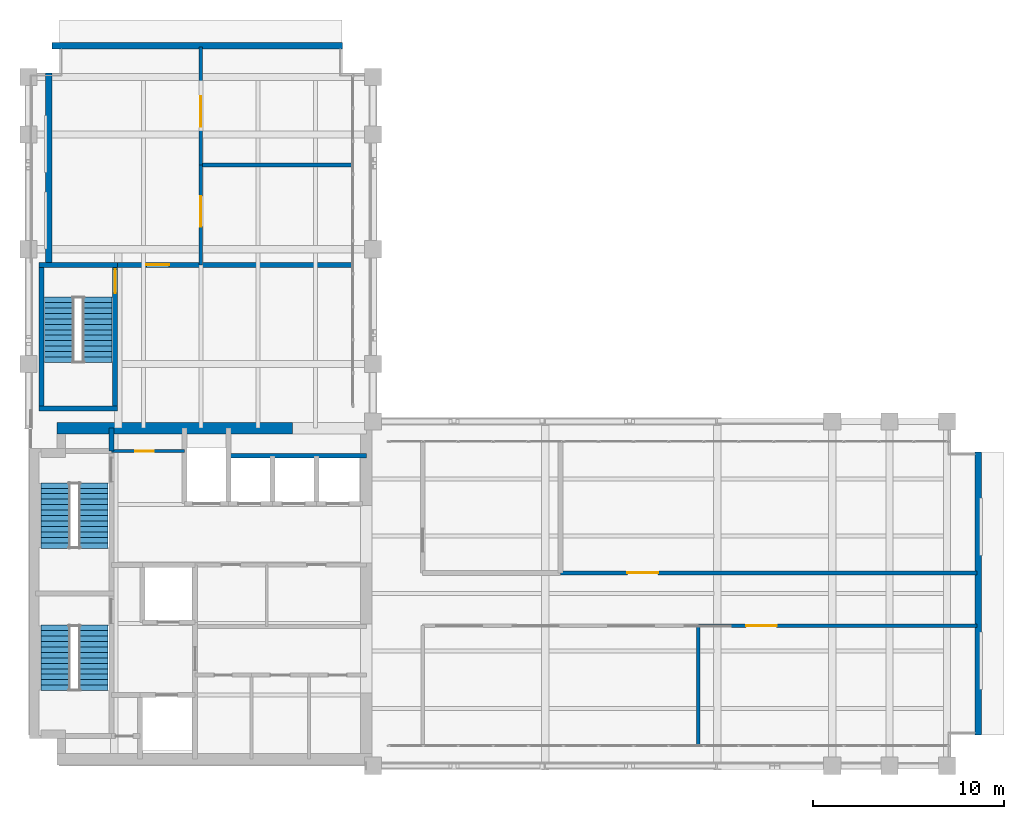
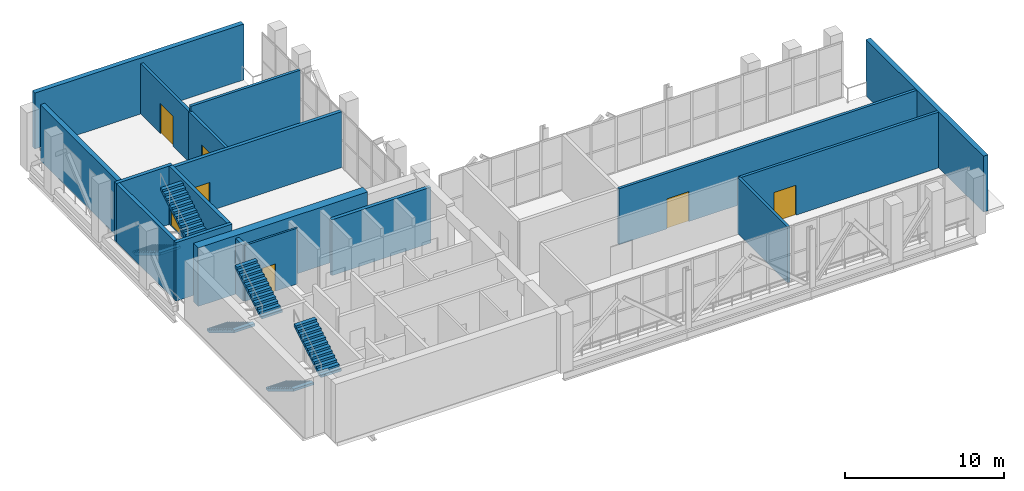
# One storey, part 24 of 26: 18 walls, 7 doors, 6 stair flights, 7 openings, 3 elements without a shape of their own.
"""IFC4 building model written with IfcOpenShell, lengths in metres."""

from ifc_helpers import new_model, si_unit, direction, frame, frame_2d, origin, place, context, subcontext, project, spatial, polyline, rectangle, outline, extrude, material, layer, layer_set, type_object, element, fill, aggregate, save


model = new_model("IFC4")

# Units and contexts
model_context = context("Model", 3, precision=1e-05, world=origin(), true_north=direction((0.0, 1.0)))
body_context = subcontext(model_context, "Body", "Model", "MODEL_VIEW")
ifc_project = project(units=[si_unit("LENGTHUNIT", "METRE"), si_unit("AREAUNIT", "SQUARE_METRE"), si_unit("VOLUMEUNIT", "CUBIC_METRE"), si_unit("PLANEANGLEUNIT", "RADIAN"), si_unit("MASSUNIT", "GRAM", prefix="KILO")], contexts=[model_context])

# Site, building, storey
site_placement = place(None, origin())
site = spatial("IfcSite", under=ifc_project, at=site_placement, CompositionType="ELEMENT")
building_placement = place(site_placement, origin())
building = spatial("IfcBuilding", under=site, at=building_placement, Name="Mawjdan Bourse Tower", CompositionType="ELEMENT")
storey_placement = place(building_placement, frame((0.0, 0.0, 226.800048828125)))
storey = spatial("IfcBuildingStorey", under=building, at=storey_placement, Name="L55", CompositionType="ELEMENT", Elevation=226.800048828125)

# Walls
ifc_material_1 = material(Name="Brick Masonry Terracotta Red", Category="masonry")
ifc_layer_1 = layer(ifc_material_1, 0.340087890625)
ifc_layer_set_1 = layer_set([ifc_layer_1], Name="Brick Masonry Terracotta Red")
wall_type_1 = type_object("IfcWallType", Name="WL-BRK-RED-340", PredefinedType="STANDARD", material=ifc_layer_set_1)
wall_1_placement = place(storey_placement, frame((55.6298828125, 4.60009765625, 0.0), z_axis=(0.0, 0.0, 1.0), x_axis=(0.0, 1.0, 0.0)))
element("IfcWall", 1, at=wall_1_placement, inside=storey, type_object=wall_type_1, Name="L55 Refuge Perimeter Wall ETIP", PredefinedType="STANDARD", context=body_context, shape_type="SweptSolid", body=[
    extrude(rectangle(XDim=14.7998046875, YDim=0.340087890625, at=frame_2d((7.39990234375, 0.0))), origin(), (0.0, 0.0, 1.0), 4.300048828125),
])
wall_2_placement = place(storey_placement, frame((7.050048828125, 39.199951171875, 0.0), z_axis=(0.0, 0.0, 1.0), x_axis=(0.0, -1.0, 0.0)))
element("IfcWall", 2, at=wall_2_placement, inside=storey, type_object=wall_type_1, Name="L55 Refuge Perimeter Wall NWW", PredefinedType="STANDARD", context=body_context, shape_type="SweptSolid", body=[
    extrude(rectangle(XDim=9.89990234375, YDim=0.340087890625, at=frame_2d((4.949951171875, 0.0))), origin(), (0.0, 0.0, 1.0), 4.300048828125),
])
wall_3_placement = place(storey_placement, frame((22.39990234375, 40.6298828125, 0.0), z_axis=(0.0, 0.0, 1.0), x_axis=(-1.0, 0.0, 0.0)))
element("IfcWall", 3, at=wall_3_placement, inside=storey, type_object=wall_type_1, Name="L55 Refuge Perimeter Wall NTIP", PredefinedType="STANDARD", context=body_context, shape_type="SweptSolid", body=[
    extrude(rectangle(XDim=15.179931640625, YDim=0.340087890625, at=frame_2d((7.58984375, 0.0))), origin(), (0.0, 0.0, 1.0), 4.300048828125),
])
ifc_material_2 = material(Name="Gypsum Fireboard Assembly")
ifc_layer_2 = layer(ifc_material_2, 0.199951171875)
ifc_layer_set_2 = layer_set([ifc_layer_2], Name="Gypsum Fireboard Assembly")
wall_type_2 = type_object("IfcWallType", Name="WL-CMP-200", PredefinedType="PARTITIONING", material=ifc_layer_set_2)
wall_4_placement = place(storey_placement, frame((15.0, 34.39990234375, 0.0), z_axis=(0.0, 0.0, 1.0), x_axis=(1.0, 0.0, 0.0)))
element("IfcWall", 4, at=wall_4_placement, inside=storey, type_object=wall_type_2, Name="L55 North Plant Split Wall", PredefinedType="PARTITIONING", context=body_context, shape_type="SweptSolid", body=[
    extrude(rectangle(XDim=7.949951171875, YDim=0.199951171875, at=frame_2d((3.97509765625, 0.0))), origin(), (0.0, 0.0, 1.0), 4.2900390625),
])

# Wall, opening, door
wall_5_placement = place(storey_placement, frame((15.0, 29.179931640625, 0.0), z_axis=(0.0, 0.0, 1.0), x_axis=(0.0, 1.0, 0.0)))
wall_5 = element("IfcWall", 5, at=wall_5_placement, inside=storey, type_object=wall_type_2, Name="L55 North Plant Wall 1", PredefinedType="PARTITIONING", context=body_context, shape_type="SweptSolid", body=[
    extrude(rectangle(XDim=5.219970703125, YDim=0.199951171875, at=frame_2d((2.60986328125, 0.0))), origin(), (0.0, 0.0, 1.0), 3.885986328125),
])
opening_1_placement = place(wall_5_placement, frame((2.0, 0.0, 0.0)))
opening_1 = element("IfcOpeningElement", 6, at=opening_1_placement, cuts=wall_5, Name="Opening PD-L55-21", PredefinedType="OPENING", context=body_context, shape_type="SweptSolid", body=[
    extrude(rectangle(XDim=1.60009765625, YDim=2.300048828125, at=frame_2d((0.800048828125, 1.14990234375))), frame((0.0, 0.10986328125, 0.0), z_axis=(0.0, -1.0, 0.0), x_axis=(1.0, 0.0, 0.0)), (0.0, 0.0, 1.0), 0.219970703125),
])
ifc_material_3 = material(Name="Fire-Rated Acoustic Steel", Category="steel")
door_type_1 = type_object("IfcDoorType", Name="FD-PLT-1600", OperationType="DOUBLE_DOOR_SINGLE_SWING", PredefinedType="DOOR", material=ifc_material_3)
door_1_placement = place(opening_1_placement, origin())
door_1 = element("IfcDoor", 7, at=door_1_placement, inside=storey, type_object=door_type_1, Name="L55 Fire Pump Room Door PD-L55-21", OperationType="DOUBLE_DOOR_SINGLE_SWING", OverallHeight=2.300048828125, OverallWidth=1.60009765625, PredefinedType="DOOR", context=body_context, shape_type="SweptSolid", body=[
    extrude(rectangle(XDim=1.60009765625, YDim=2.300048828125, at=frame_2d((0.800048828125, 1.14990234375))), frame((0.0, 0.02490234375, 0.0), z_axis=(0.0, -1.0, 0.0), x_axis=(1.0, 0.0, 0.0)), (0.0, 0.0, 1.0), 0.050048828125),
])
fill(opening_1, door_1)

wall_6_placement = place(storey_placement, frame((15.0, 34.39990234375, 0.0), z_axis=(0.0, 0.0, 1.0), x_axis=(0.0, 1.0, 0.0)))
wall_6 = element("IfcWall", 8, at=wall_6_placement, inside=storey, type_object=wall_type_2, Name="L55 North Plant Wall 2", PredefinedType="PARTITIONING", context=body_context, shape_type="SweptSolid", body=[
    extrude(rectangle(XDim=6.18017578125, YDim=0.199951171875, at=frame_2d((3.090087890625, 0.0))), origin(), (0.0, 0.0, 1.0), 3.885986328125),
])
opening_2_placement = place(wall_6_placement, frame((2.0, 0.0, 0.0)))
opening_2 = element("IfcOpeningElement", 9, at=opening_2_placement, cuts=wall_6, Name="Opening PD-L55-22", PredefinedType="OPENING", context=body_context, shape_type="SweptSolid", body=[
    extrude(rectangle(XDim=1.60009765625, YDim=2.300048828125, at=frame_2d((0.800048828125, 1.14990234375))), frame((0.0, 0.10986328125, 0.0), z_axis=(0.0, -1.0, 0.0), x_axis=(1.0, 0.0, 0.0)), (0.0, 0.0, 1.0), 0.219970703125),
])
door_2_placement = place(opening_2_placement, origin())
door_2 = element("IfcDoor", 10, at=door_2_placement, inside=storey, type_object=door_type_1, Name="L55 Smoke Fan Room Door PD-L55-22", OperationType="DOUBLE_DOOR_SINGLE_SWING", OverallHeight=2.300048828125, OverallWidth=1.60009765625, PredefinedType="DOOR", context=body_context, shape_type="SweptSolid", body=[
    extrude(rectangle(XDim=1.60009765625, YDim=2.300048828125, at=frame_2d((0.800048828125, 1.14990234375))), frame((0.0, 0.02490234375, 0.0), z_axis=(0.0, -1.0, 0.0), x_axis=(1.0, 0.0, 0.0)), (0.0, 0.0, 1.0), 0.050048828125),
])
fill(opening_2, door_2)

# Wall
wall_7_placement = place(storey_placement, frame((41.0, 4.050048828125, 0.0), z_axis=(0.0, 0.0, 1.0), x_axis=(0.0, 1.0, 0.0)))
element("IfcWall", 11, at=wall_7_placement, inside=storey, type_object=wall_type_2, Name="L55 South Plant Split Wall", PredefinedType="PARTITIONING", context=body_context, shape_type="SweptSolid", body=[
    extrude(rectangle(XDim=6.27001953125, YDim=0.199951171875, at=frame_2d((3.135009765625, 0.0))), origin(), (0.0, 0.0, 1.0), 4.2900390625),
])

# Wall, opening, door
wall_8_placement = place(storey_placement, frame((41.0, 10.320068359375, 0.0), z_axis=(0.0, 0.0, 1.0), x_axis=(1.0, 0.0, 0.0)))
wall_8 = element("IfcWall", 12, at=wall_8_placement, inside=storey, type_object=wall_type_2, Name="L55 CHW Plant North Wall", PredefinedType="PARTITIONING", context=body_context, shape_type="SweptSolid", body=[
    extrude(rectangle(XDim=14.580078125, YDim=0.199951171875, at=frame_2d((7.2900390625, 0.0))), origin(), (0.0, 0.0, 1.0), 4.2900390625),
])
opening_3_placement = place(wall_8_placement, frame((2.5, 0.0, 0.0)))
opening_3 = element("IfcOpeningElement", 13, at=opening_3_placement, cuts=wall_8, Name="Opening PD-L55-24", PredefinedType="OPENING", context=body_context, shape_type="SweptSolid", body=[
    extrude(rectangle(XDim=1.60009765625, YDim=2.300048828125, at=frame_2d((0.800048828125, 1.14990234375))), frame((0.0, 0.10986328125, 0.0), z_axis=(0.0, -1.0, 0.0), x_axis=(1.0, 0.0, 0.0)), (0.0, 0.0, 1.0), 0.219970703125),
])
door_3_placement = place(opening_3_placement, origin())
door_3 = element("IfcDoor", 14, at=door_3_placement, inside=storey, type_object=door_type_1, Name="L55 CHW Pump Room Door PD-L55-24", OperationType="DOUBLE_DOOR_SINGLE_SWING", OverallHeight=2.300048828125, OverallWidth=1.60009765625, PredefinedType="DOOR", context=body_context, shape_type="SweptSolid", body=[
    extrude(rectangle(XDim=1.60009765625, YDim=2.300048828125, at=frame_2d((0.800048828125, 1.14990234375))), frame((0.0, 0.02490234375, 0.0), z_axis=(0.0, -1.0, 0.0), x_axis=(1.0, 0.0, 0.0)), (0.0, 0.0, 1.0), 0.050048828125),
])
fill(opening_3, door_3)

wall_9_placement = place(storey_placement, frame((33.800048828125, 13.080078125, 0.0), z_axis=(0.0, 0.0, 1.0), x_axis=(1.0, 0.0, 0.0)))
wall_9 = element("IfcWall", 15, at=wall_9_placement, inside=storey, type_object=wall_type_2, Name="L55 Switchgear South Wall", PredefinedType="PARTITIONING", context=body_context, shape_type="SweptSolid", body=[
    extrude(rectangle(XDim=21.780029296875, YDim=0.199951171875, at=frame_2d((10.89013671875, 0.0))), origin(), (0.0, 0.0, 1.0), 4.2900390625),
])
opening_4_placement = place(wall_9_placement, frame((3.5, 0.0, 0.0)))
opening_4 = element("IfcOpeningElement", 16, at=opening_4_placement, cuts=wall_9, Name="Opening PD-L55-26", PredefinedType="OPENING", context=body_context, shape_type="SweptSolid", body=[
    extrude(rectangle(XDim=1.60009765625, YDim=2.300048828125, at=frame_2d((0.800048828125, 1.14990234375))), frame((0.0, 0.10986328125, 0.0), z_axis=(0.0, -1.0, 0.0), x_axis=(1.0, 0.0, 0.0)), (0.0, 0.0, 1.0), 0.219970703125),
])
door_4_placement = place(opening_4_placement, origin())
door_4 = element("IfcDoor", 17, at=door_4_placement, inside=storey, type_object=door_type_1, Name="L55 Switchgear Room Door PD-L55-26", OperationType="DOUBLE_DOOR_SINGLE_SWING", OverallHeight=2.300048828125, OverallWidth=1.60009765625, PredefinedType="DOOR", context=body_context, shape_type="SweptSolid", body=[
    extrude(rectangle(XDim=1.60009765625, YDim=2.300048828125, at=frame_2d((0.800048828125, 1.14990234375))), frame((0.0, 0.02490234375, 0.0), z_axis=(0.0, -1.0, 0.0), x_axis=(1.0, 0.0, 0.0)), (0.0, 0.0, 1.0), 0.050048828125),
])
fill(opening_4, door_4)

# Wall
ifc_material_4 = material(Name="Concrete C70/85", Category="concrete")
ifc_layer_3 = layer(ifc_material_4, 0.60009765625)
ifc_layer_set_3 = layer_set([ifc_layer_3], Name="Concrete C70/85")
wall_type_3 = type_object("IfcWallType", Name="WL-CORE-600", PredefinedType="SHEAR", material=ifc_layer_set_3)
wall_10_placement = place(storey_placement, frame((7.47509765625, 20.64990234375, 0.0), z_axis=(0.0, 0.0, 1.0), x_axis=(1.0, 0.0, 0.0)))
element("IfcWall", 18, at=wall_10_placement, inside=storey, type_object=wall_type_3, Name="L55 Rear Core Shear Wall N", PredefinedType="SHEAR", context=body_context, shape_type="SweptSolid", body=[
    extrude(rectangle(XDim=12.324951171875, YDim=0.60009765625, at=frame_2d((6.16259765625, 0.0))), origin(), (0.0, 0.0, 1.0), 4.5),
])

# Wall, opening, door
ifc_material_5 = material(Name="Gypsum Acoustic Partition")
ifc_layer_4 = layer(ifc_material_5, 0.14990234375)
ifc_layer_set_4 = layer_set([ifc_layer_4], Name="Gypsum Acoustic Partition")
wall_type_4 = type_object("IfcWallType", Name="WL-PRT-150", PredefinedType="PARTITIONING", material=ifc_layer_set_4)
wall_11_placement = place(storey_placement, frame((10.330078125, 19.449951171875, 0.0), z_axis=(0.0, 0.0, 1.0), x_axis=(1.0, 0.0, 0.0)))
wall_11 = element("IfcWall", 19, at=wall_11_placement, inside=storey, type_object=wall_type_4, Name="L55 Housekeeping South Wall", PredefinedType="PARTITIONING", context=body_context, shape_type="SweptSolid", body=[
    extrude(rectangle(XDim=3.81982421875, YDim=0.14990234375, at=frame_2d((1.909912109375, 0.0))), origin(), (0.0, 0.0, 1.0), 4.2900390625),
])
opening_5_placement = place(wall_11_placement, frame((1.25, 0.0, 0.0)))
opening_5 = element("IfcOpeningElement", 20, at=opening_5_placement, cuts=wall_11, Name="Opening D-L55-18", PredefinedType="OPENING", context=body_context, shape_type="SweptSolid", body=[
    extrude(rectangle(XDim=0.949951171875, YDim=2.10009765625, at=frame_2d((0.47509765625, 1.050048828125))), frame((0.0, 0.0849609375, 0.0), z_axis=(0.0, -1.0, 0.0), x_axis=(1.0, 0.0, 0.0)), (0.0, 0.0, 1.0), 0.169921875),
])
ifc_material_6 = material(Name="Moisture-Resistant Laminate Timber", Category="wood")
door_type_2 = type_object("IfcDoorType", Name="DR-WET-0950", OperationType="NOTDEFINED", PredefinedType="DOOR", material=ifc_material_6)
door_5_placement = place(opening_5_placement, origin())
door_5 = element("IfcDoor", 21, at=door_5_placement, inside=storey, type_object=door_type_2, Name="L55 Housekeeping Closet Door D-L55-18", OperationType="SINGLE_SWING_LEFT", OverallHeight=2.10009765625, OverallWidth=0.949951171875, PredefinedType="DOOR", context=body_context, shape_type="SweptSolid", body=[
    extrude(rectangle(XDim=0.949951171875, YDim=2.10009765625, at=frame_2d((0.47509765625, 1.050048828125))), frame((0.0, 0.02490234375, 0.0), z_axis=(0.0, -1.0, 0.0), x_axis=(1.0, 0.0, 0.0)), (0.0, 0.0, 1.0), 0.050048828125),
])
fill(opening_5, door_5)

# Walls
ifc_material_7 = material(Name="Concrete C50/60", Category="concrete")
ifc_layer_5 = layer(ifc_material_7, 0.25)
ifc_layer_set_5 = layer_set([ifc_layer_5], Name="Concrete C50/60")
wall_type_5 = type_object("IfcWallType", Name="WL-SHFT-250", PredefinedType="PARTITIONING", material=ifc_layer_set_5)
wall_12_placement = place(storey_placement, frame((10.330078125, 19.449951171875, 0.0), z_axis=(0.0, 0.0, 1.0), x_axis=(0.0, 1.0, 0.0)))
element("IfcWall", 22, at=wall_12_placement, inside=storey, type_object=wall_type_5, Name="L55 NW Riser East Wall", PredefinedType="PARTITIONING", context=body_context, shape_type="SweptSolid", body=[
    extrude(rectangle(XDim=1.199951171875, YDim=0.25, at=frame_2d((0.60009765625, 0.0))), origin(), (0.0, 0.0, 1.0), 4.2900390625),
])
wall_13_placement = place(storey_placement, frame((16.449951171875, 19.199951171875, 0.0), z_axis=(0.0, 0.0, 1.0), x_axis=(1.0, 0.0, 0.0)))
element("IfcWall", 23, at=wall_13_placement, inside=storey, type_object=wall_type_5, Name="L55 PH Bank North Shaft Back Wall", PredefinedType="PARTITIONING", context=body_context, shape_type="SweptSolid", body=[
    extrude(rectangle(XDim=7.199951171875, YDim=0.25, at=frame_2d((3.60009765625, 0.0))), origin(), (0.0, 0.0, 1.0), 4.2900390625),
])

# Wall, opening, door
wall_14_placement = place(storey_placement, frame((10.550048828125, 29.179931640625, 0.0), z_axis=(0.0, 0.0, 1.0), x_axis=(1.0, 0.0, 0.0)))
wall_14 = element("IfcWall", 24, at=wall_14_placement, inside=storey, type_object=wall_type_5, Name="L55 Refuge Area North EI 120 Firewall", PredefinedType="PARTITIONING", context=body_context, shape_type="SweptSolid", body=[
    extrude(rectangle(XDim=12.39990234375, YDim=0.25, at=frame_2d((6.199951171875, 0.0))), origin(), (0.0, 0.0, 1.0), 4.2900390625),
])
opening_6_placement = place(wall_14_placement, frame((1.60009765625, 0.0, 0.0)))
opening_6 = element("IfcOpeningElement", 25, at=opening_6_placement, cuts=wall_14, Name="Opening FD-L55-20", PredefinedType="OPENING", context=body_context, shape_type="SweptSolid", body=[
    extrude(rectangle(XDim=1.199951171875, YDim=2.199951171875, at=frame_2d((0.60009765625, 1.10009765625))), frame((0.0, 0.135009765625, 0.0), z_axis=(0.0, -1.0, 0.0), x_axis=(1.0, 0.0, 0.0)), (0.0, 0.0, 1.0), 0.27001953125),
])
ifc_material_8 = material(Name="Fire-Rated Steel Leaf", Category="steel")
door_type_3 = type_object("IfcDoorType", Name="FD-FFL-1200", OperationType="NOTDEFINED", PredefinedType="DOOR", material=ifc_material_8)
door_6_placement = place(opening_6_placement, frame((1.199951171875, 0.0, 0.0), z_axis=(0.0, 0.0, 1.0), x_axis=(-1.0, 0.0, 0.0)))
door_6 = element("IfcDoor", 26, at=door_6_placement, inside=storey, type_object=door_type_3, Name="L55 North Plant Corridor Fire Door FD-L55-20", OperationType="SINGLE_SWING_LEFT", OverallHeight=2.199951171875, OverallWidth=1.199951171875, PredefinedType="DOOR", context=body_context, shape_type="SweptSolid", body=[
    extrude(rectangle(XDim=1.199951171875, YDim=2.199951171875, at=frame_2d((0.60009765625, 1.10009765625))), frame((0.0, 0.02490234375, 0.0), z_axis=(0.0, -1.0, 0.0), x_axis=(1.0, 0.0, 0.0)), (0.0, 0.0, 1.0), 0.050048828125),
])
fill(opening_6, door_6)

# Walls
ifc_layer_6 = layer(ifc_material_7, 0.25)
ifc_layer_set_6 = layer_set([ifc_layer_6], Name="Concrete C50/60")
wall_type_6 = type_object("IfcWallType", Name="WL-STRW-250", PredefinedType="SHEAR", material=ifc_layer_set_6)
for number, where, z_axis, x_axis, name in (
    (27, (6.554931640625, 21.679931640625, 0.0), (0.0, 0.0, 1.0), (1.0, 0.0, 0.0), "L55 ST3 South Shaft Wall"),
    (28, (6.554931640625, 29.179931640625, 0.0), (0.0, 0.0, 1.0), (1.0, 0.0, 0.0), "L55 ST3 North Shaft Wall"),
):
    element("IfcWall", number, at=place(storey_placement, frame(where, z_axis=z_axis, x_axis=x_axis)), inside=storey, type_object=wall_type_6, Name=name, PredefinedType="SHEAR", context=body_context, shape_type="SweptSolid", body=[
        extrude(rectangle(XDim=4.090087890625, YDim=0.25, at=frame_2d((2.044921875, 0.0))), origin(), (0.0, 0.0, 1.0), 4.5),
    ])
wall_15_placement = place(storey_placement, frame((6.679931640625, 21.679931640625, 0.0), z_axis=(0.0, 0.0, 1.0), x_axis=(0.0, 1.0, 0.0)))
element("IfcWall", 29, at=wall_15_placement, inside=storey, type_object=wall_type_6, Name="L55 ST3 West Shaft Wall", PredefinedType="SHEAR", context=body_context, shape_type="SweptSolid", body=[
    extrude(rectangle(XDim=7.5, YDim=0.25, at=frame_2d((3.75, 0.0))), origin(), (0.0, 0.0, 1.0), 4.5),
])

# Wall, opening, door
wall_16_placement = place(storey_placement, frame((10.52001953125, 21.679931640625, 0.0), z_axis=(0.0, 0.0, 1.0), x_axis=(0.0, 1.0, 0.0)))
wall_16 = element("IfcWall", 30, at=wall_16_placement, inside=storey, type_object=wall_type_6, Name="L55 ST3 East Shaft Wall", PredefinedType="SHEAR", context=body_context, shape_type="SweptSolid", body=[
    extrude(rectangle(XDim=7.5, YDim=0.25, at=frame_2d((3.75, 0.0))), origin(), (0.0, 0.0, 1.0), 4.5),
])
opening_7_placement = place(wall_16_placement, frame((6.02001953125, 0.0, 0.0)))
opening_7 = element("IfcOpeningElement", 31, at=opening_7_placement, cuts=wall_16, Name="Opening SD-L55-19", PredefinedType="OPENING", context=body_context, shape_type="SweptSolid", body=[
    extrude(rectangle(XDim=1.25, YDim=2.199951171875, at=frame_2d((0.625, 1.10009765625))), frame((0.0, 0.135009765625, 0.0), z_axis=(0.0, -1.0, 0.0), x_axis=(1.0, 0.0, 0.0)), (0.0, 0.0, 1.0), 0.27001953125),
])
door_type_4 = type_object("IfcDoorType", Name="FD-ST-1250", OperationType="NOTDEFINED", PredefinedType="DOOR", material=ifc_material_8)
door_7_placement = place(opening_7_placement, origin())
door_7 = element("IfcDoor", 32, at=door_7_placement, inside=storey, type_object=door_type_4, Name="L55 Stair ST3 Fire Door SD-L55-19", OperationType="SINGLE_SWING_RIGHT", OverallHeight=2.199951171875, OverallWidth=1.25, PredefinedType="DOOR", context=body_context, shape_type="SweptSolid", body=[
    extrude(rectangle(XDim=1.25, YDim=2.199951171875, at=frame_2d((0.625, 1.10009765625))), frame((0.0, 0.02490234375, 0.0), z_axis=(0.0, -1.0, 0.0), x_axis=(1.0, 0.0, 0.0)), (0.0, 0.0, 1.0), 0.050048828125),
])
fill(opening_7, door_7)

# Stair, stair flights
stair_type = type_object("IfcStairType", Name="STR-CORE-1500", PredefinedType="HALF_TURN_STAIR", material=ifc_material_7)
stair_1_placement = place(storey_placement, origin())
stair_1 = element("IfcStair", 33, at=stair_1_placement, inside=storey, type_object=stair_type, Name="L55 Exit Stair 1 (Core South-West)", PredefinedType="HALF_TURN_STAIR")
stair_flight_type = type_object("IfcStairFlightType", Name="SFL-RC-1500", PredefinedType="STRAIGHT", material=ifc_material_7)
stair_flight_1_placement = place(storey_placement, frame((7.389892578125, 10.35009765625, 0.0), z_axis=(0.0, 0.0, 1.0), x_axis=(0.0, -1.0, 0.0)))
stair_flight_1 = element("IfcStairFlight", 34, at=stair_flight_1_placement, type_object=stair_flight_type, Name="ST1-L55 flight 1", NumberOfRisers=13, NumberOfTreads=12, PredefinedType="STRAIGHT", RiserHeight=0.173077, TreadLength=0.285, context=body_context, shape_type="SweptSolid", body=[
    extrude(outline(polyline([(0.0, 0.0), (0.0, 0.173095703125), (0.284912109375, 0.173095703125), (0.284912109375, 0.34619140625), (0.570068359375, 0.34619140625), (0.570068359375, 0.519287109375), (0.85498046875, 0.519287109375), (0.85498046875, 0.6923828125), (1.139892578125, 0.6923828125), (1.139892578125, 0.865478515625), (1.425048828125, 0.865478515625), (1.425048828125, 1.03857421875), (1.7099609375, 1.03857421875), (1.7099609375, 1.21142578125), (1.9951171875, 1.21142578125), (1.9951171875, 1.384521484375), (2.280029296875, 1.384521484375), (2.280029296875, 1.5576171875), (2.56494140625, 1.5576171875), (2.56494140625, 1.730712890625), (2.85009765625, 1.730712890625), (2.85009765625, 1.90380859375), (3.135009765625, 1.90380859375), (3.135009765625, 2.076904296875), (3.419921875, 2.076904296875), (3.419921875, 2.25), (3.419921875, 1.889892578125), (0.30810546875, 0.0), (0.0, 0.0)])), frame((0.0, 0.75, 0.0), z_axis=(0.0, -1.0, 0.0), x_axis=(1.0, 0.0, 0.0)), (0.0, 0.0, 1.0), 1.5),
])
stair_flight_2_placement = place(storey_placement, frame((9.409912109375, 6.929931640625, 2.25), z_axis=(0.0, 0.0, 1.0), x_axis=(0.0, 1.0, 0.0)))
stair_flight_2 = element("IfcStairFlight", 35, at=stair_flight_2_placement, type_object=stair_flight_type, Name="ST1-L55 flight 2", NumberOfRisers=13, NumberOfTreads=12, PredefinedType="STRAIGHT", RiserHeight=0.173077, TreadLength=0.285, context=body_context, shape_type="SweptSolid", body=[
    extrude(outline(polyline([(0.0, 0.0), (0.0, 0.173095703125), (0.284912109375, 0.173095703125), (0.284912109375, 0.34619140625), (0.570068359375, 0.34619140625), (0.570068359375, 0.519287109375), (0.85498046875, 0.519287109375), (0.85498046875, 0.6923828125), (1.139892578125, 0.6923828125), (1.139892578125, 0.865478515625), (1.425048828125, 0.865478515625), (1.425048828125, 1.03857421875), (1.7099609375, 1.03857421875), (1.7099609375, 1.21142578125), (1.9951171875, 1.21142578125), (1.9951171875, 1.384521484375), (2.280029296875, 1.384521484375), (2.280029296875, 1.5576171875), (2.56494140625, 1.5576171875), (2.56494140625, 1.730712890625), (2.85009765625, 1.730712890625), (2.85009765625, 1.90380859375), (3.135009765625, 1.90380859375), (3.135009765625, 2.076904296875), (3.419921875, 2.076904296875), (3.419921875, 2.25), (3.419921875, 1.889892578125), (0.30810546875, 0.0), (0.0, 0.0)])), frame((0.0, 0.75, 0.0), z_axis=(0.0, -1.0, 0.0), x_axis=(1.0, 0.0, 0.0)), (0.0, 0.0, 1.0), 1.5),
])
aggregate(stair_1, [stair_flight_1, stair_flight_2])

stair_2_placement = place(storey_placement, origin())
stair_2 = element("IfcStair", 36, at=stair_2_placement, inside=storey, type_object=stair_type, Name="L55 Exit Stair 2 (Core North-West)", PredefinedType="HALF_TURN_STAIR")
stair_flight_3_placement = place(storey_placement, frame((7.389892578125, 17.7900390625, 0.0), z_axis=(0.0, 0.0, 1.0), x_axis=(0.0, -1.0, 0.0)))
stair_flight_3 = element("IfcStairFlight", 37, at=stair_flight_3_placement, type_object=stair_flight_type, Name="ST2-L55 flight 1", NumberOfRisers=13, NumberOfTreads=12, PredefinedType="STRAIGHT", RiserHeight=0.173077, TreadLength=0.285, context=body_context, shape_type="SweptSolid", body=[
    extrude(outline(polyline([(0.0, 0.0), (0.0, 0.173095703125), (0.284912109375, 0.173095703125), (0.284912109375, 0.34619140625), (0.570068359375, 0.34619140625), (0.570068359375, 0.519287109375), (0.85498046875, 0.519287109375), (0.85498046875, 0.6923828125), (1.139892578125, 0.6923828125), (1.139892578125, 0.865478515625), (1.425048828125, 0.865478515625), (1.425048828125, 1.03857421875), (1.7099609375, 1.03857421875), (1.7099609375, 1.21142578125), (1.9951171875, 1.21142578125), (1.9951171875, 1.384521484375), (2.280029296875, 1.384521484375), (2.280029296875, 1.5576171875), (2.56494140625, 1.5576171875), (2.56494140625, 1.730712890625), (2.85009765625, 1.730712890625), (2.85009765625, 1.90380859375), (3.135009765625, 1.90380859375), (3.135009765625, 2.076904296875), (3.419921875, 2.076904296875), (3.419921875, 2.25), (3.419921875, 1.889892578125), (0.30810546875, 0.0), (0.0, 0.0)])), frame((0.0, 0.75, 0.0), z_axis=(0.0, -1.0, 0.0), x_axis=(1.0, 0.0, 0.0)), (0.0, 0.0, 1.0), 1.5),
])
stair_flight_4_placement = place(storey_placement, frame((9.409912109375, 14.3701171875, 2.25), z_axis=(0.0, 0.0, 1.0), x_axis=(0.0, 1.0, 0.0)))
stair_flight_4 = element("IfcStairFlight", 38, at=stair_flight_4_placement, type_object=stair_flight_type, Name="ST2-L55 flight 2", NumberOfRisers=13, NumberOfTreads=12, PredefinedType="STRAIGHT", RiserHeight=0.173077, TreadLength=0.285, context=body_context, shape_type="SweptSolid", body=[
    extrude(outline(polyline([(0.0, 0.0), (0.0, 0.173095703125), (0.284912109375, 0.173095703125), (0.284912109375, 0.34619140625), (0.570068359375, 0.34619140625), (0.570068359375, 0.519287109375), (0.85498046875, 0.519287109375), (0.85498046875, 0.6923828125), (1.139892578125, 0.6923828125), (1.139892578125, 0.865478515625), (1.425048828125, 0.865478515625), (1.425048828125, 1.03857421875), (1.7099609375, 1.03857421875), (1.7099609375, 1.21142578125), (1.9951171875, 1.21142578125), (1.9951171875, 1.384521484375), (2.280029296875, 1.384521484375), (2.280029296875, 1.5576171875), (2.56494140625, 1.5576171875), (2.56494140625, 1.730712890625), (2.85009765625, 1.730712890625), (2.85009765625, 1.90380859375), (3.135009765625, 1.90380859375), (3.135009765625, 2.076904296875), (3.419921875, 2.076904296875), (3.419921875, 2.25), (3.419921875, 1.889892578125), (0.30810546875, 0.0), (0.0, 0.0)])), frame((0.0, 0.75, 0.0), z_axis=(0.0, -1.0, 0.0), x_axis=(1.0, 0.0, 0.0)), (0.0, 0.0, 1.0), 1.5),
])
aggregate(stair_2, [stair_flight_3, stair_flight_4])

stair_3_placement = place(storey_placement, origin())
stair_3 = element("IfcStair", 39, at=stair_3_placement, inside=storey, type_object=stair_type, Name="L55 Exit Stair 3 (North Wing)", PredefinedType="HALF_TURN_STAIR")
stair_flight_5_placement = place(storey_placement, frame((7.590087890625, 27.5, 0.0), z_axis=(0.0, 0.0, 1.0), x_axis=(0.0, -1.0, 0.0)))
stair_flight_5 = element("IfcStairFlight", 40, at=stair_flight_5_placement, type_object=stair_flight_type, Name="ST3-L55 flight 1", NumberOfRisers=13, NumberOfTreads=12, PredefinedType="STRAIGHT", RiserHeight=0.173077, TreadLength=0.285, context=body_context, shape_type="SweptSolid", body=[
    extrude(outline(polyline([(0.0, 0.0), (0.0, 0.173095703125), (0.284912109375, 0.173095703125), (0.284912109375, 0.34619140625), (0.570068359375, 0.34619140625), (0.570068359375, 0.519287109375), (0.85498046875, 0.519287109375), (0.85498046875, 0.6923828125), (1.139892578125, 0.6923828125), (1.139892578125, 0.865478515625), (1.425048828125, 0.865478515625), (1.425048828125, 1.03857421875), (1.7099609375, 1.03857421875), (1.7099609375, 1.21142578125), (1.9951171875, 1.21142578125), (1.9951171875, 1.384521484375), (2.280029296875, 1.384521484375), (2.280029296875, 1.5576171875), (2.56494140625, 1.5576171875), (2.56494140625, 1.730712890625), (2.85009765625, 1.730712890625), (2.85009765625, 1.90380859375), (3.135009765625, 1.90380859375), (3.135009765625, 2.076904296875), (3.419921875, 2.076904296875), (3.419921875, 2.25), (3.419921875, 1.889892578125), (0.30810546875, 0.0), (0.0, 0.0)])), frame((0.0, 0.75, 0.0), z_axis=(0.0, -1.0, 0.0), x_axis=(1.0, 0.0, 0.0)), (0.0, 0.0, 1.0), 1.5),
])
stair_flight_6_placement = place(storey_placement, frame((9.610107421875, 24.080078125, 2.25), z_axis=(0.0, 0.0, 1.0), x_axis=(0.0, 1.0, 0.0)))
stair_flight_6 = element("IfcStairFlight", 41, at=stair_flight_6_placement, type_object=stair_flight_type, Name="ST3-L55 flight 2", NumberOfRisers=13, NumberOfTreads=12, PredefinedType="STRAIGHT", RiserHeight=0.173077, TreadLength=0.285, context=body_context, shape_type="SweptSolid", body=[
    extrude(outline(polyline([(0.0, 0.0), (0.0, 0.173095703125), (0.284912109375, 0.173095703125), (0.284912109375, 0.34619140625), (0.570068359375, 0.34619140625), (0.570068359375, 0.519287109375), (0.85498046875, 0.519287109375), (0.85498046875, 0.6923828125), (1.139892578125, 0.6923828125), (1.139892578125, 0.865478515625), (1.425048828125, 0.865478515625), (1.425048828125, 1.03857421875), (1.7099609375, 1.03857421875), (1.7099609375, 1.21142578125), (1.9951171875, 1.21142578125), (1.9951171875, 1.384521484375), (2.280029296875, 1.384521484375), (2.280029296875, 1.5576171875), (2.56494140625, 1.5576171875), (2.56494140625, 1.730712890625), (2.85009765625, 1.730712890625), (2.85009765625, 1.90380859375), (3.135009765625, 1.90380859375), (3.135009765625, 2.076904296875), (3.419921875, 2.076904296875), (3.419921875, 2.25), (3.419921875, 1.889892578125), (0.30810546875, 0.0), (0.0, 0.0)])), frame((0.0, 0.75, 0.0), z_axis=(0.0, -1.0, 0.0), x_axis=(1.0, 0.0, 0.0)), (0.0, 0.0, 1.0), 1.5),
])
aggregate(stair_3, [stair_flight_5, stair_flight_6])

save(model, "model.ifc")
